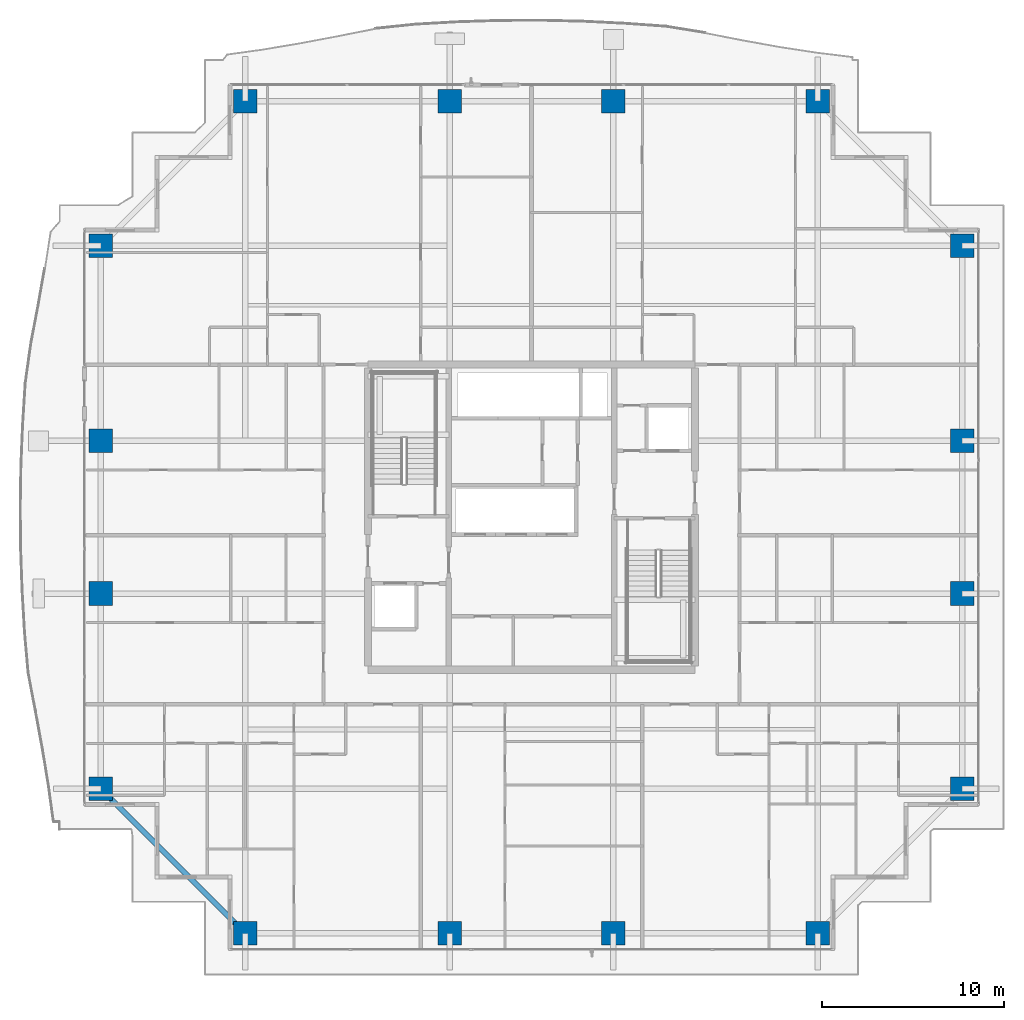
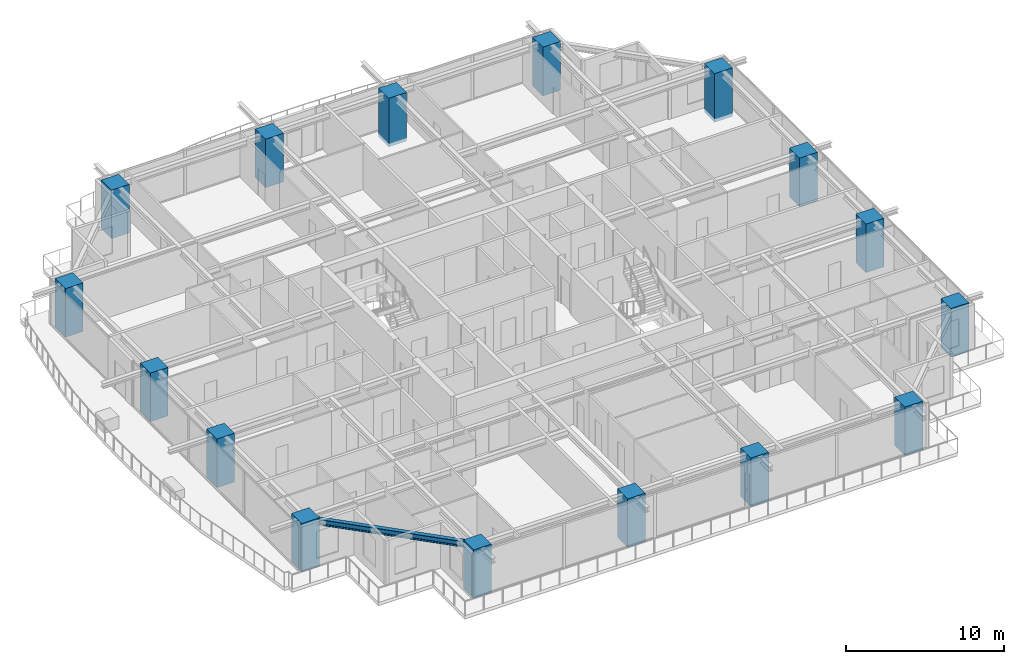
# One storey, part 1 of 39: 16 columns, 1 beam.
"""IFC4 building model written with IfcOpenShell, lengths in metres."""

from ifc_helpers import new_model, si_unit, direction, frame, origin, origin_2d, place, context, subcontext, project, spatial, rectangle, i_section, extrude, source, transform, mapped, material, material_profile, profile_set, type_object, element, save


model = new_model("IFC4")

# Units and contexts
model_context = context("Model", 3, precision=1e-05, world=origin(), true_north=direction((0.0, 1.0)))
body_context = subcontext(model_context, "Body", "Model", "MODEL_VIEW")
ifc_project = project(units=[si_unit("LENGTHUNIT", "METRE"), si_unit("AREAUNIT", "SQUARE_METRE"), si_unit("VOLUMEUNIT", "CUBIC_METRE"), si_unit("PLANEANGLEUNIT", "RADIAN"), si_unit("MASSUNIT", "GRAM", prefix="KILO")], contexts=[model_context])

# Site, building, storey
site_placement = place(None, origin())
site = spatial("IfcSite", under=ifc_project, at=site_placement, CompositionType="ELEMENT")
building_placement = place(site_placement, origin())
building = spatial("IfcBuilding", under=site, at=building_placement, Name="Serunith Strait Residences", CompositionType="ELEMENT")
storey_placement = place(building_placement, frame((0.0, 0.0, 123.89990234375)))
storey = spatial("IfcBuildingStorey", under=building, at=storey_placement, Name="L30", CompositionType="ELEMENT", Elevation=123.89990234375)

# Columns
ifc_material_1 = material(Name="Concrete C80/95", Category="concrete")
ifc_material_profile_1 = material_profile(ifc_material_1, rectangle(XDim=1.300048828125, YDim=1.300048828125, at=origin_2d()), Name="RC 1300x1300")
ifc_profile_set_1 = profile_set([ifc_material_profile_1], Name="Concrete C80/95")
column_type = type_object("IfcColumnType", Name="COL-RC-1300", PredefinedType="COLUMN", material=ifc_profile_set_1)
shared_shape_1 = source(origin(), body_context, "Body", "SweptSolid", [
    extrude(rectangle(XDim=1.300048828125, YDim=1.300048828125, at=origin_2d()), origin(), (0.0, 0.0, 1.0), 3.75),
])
for number, where, z_axis, x_axis, name in (
    (1, (16.64990234375, 2.300048828125, -0.260009765625), (0.0, 0.0, 1.0), (1.0, 0.0, 0.0), "L30 Tower Mega-Column TC-S1"),
    (2, (27.89990234375, 2.300048828125, -0.260009765625), (0.0, 0.0, 1.0), (1.0, 0.0, 0.0), "L30 Tower Mega-Column TC-S2"),
    (3, (36.89990234375, 2.300048828125, -0.260009765625), (0.0, 0.0, 1.0), (1.0, 0.0, 0.0), "L30 Tower Mega-Column TC-S3"),
    (4, (48.14990234375, 2.300048828125, -0.260009765625), (0.0, 0.0, 1.0), (1.0, 0.0, 0.0), "L30 Tower Mega-Column TC-S4"),
    (5, (16.64990234375, 48.10009765625, -0.260009765625), (0.0, 0.0, 1.0), (1.0, 0.0, 0.0), "L30 Tower Mega-Column TC-N1"),
    (6, (27.89990234375, 48.10009765625, -0.260009765625), (0.0, 0.0, 1.0), (1.0, 0.0, 0.0), "L30 Tower Mega-Column TC-N2"),
    (7, (36.89990234375, 48.10009765625, -0.260009765625), (0.0, 0.0, 1.0), (1.0, 0.0, 0.0), "L30 Tower Mega-Column TC-N3"),
    (8, (48.14990234375, 48.10009765625, -0.260009765625), (0.0, 0.0, 1.0), (1.0, 0.0, 0.0), "L30 Tower Mega-Column TC-N4"),
    (9, (56.10009765625, 10.25, -0.260009765625), (0.0, 0.0, 1.0), (1.0, 0.0, 0.0), "L30 Tower Mega-Column TC-E1"),
    (10, (56.10009765625, 21.0, -0.260009765625), (0.0, 0.0, 1.0), (1.0, 0.0, 0.0), "L30 Tower Mega-Column TC-E2"),
    (11, (56.10009765625, 29.39990234375, -0.260009765625), (0.0, 0.0, 1.0), (1.0, 0.0, 0.0), "L30 Tower Mega-Column TC-E3"),
    (12, (56.10009765625, 40.14990234375, -0.260009765625), (0.0, 0.0, 1.0), (1.0, 0.0, 0.0), "L30 Tower Mega-Column TC-E4"),
    (13, (8.699951171875, 10.25, -0.260009765625), (0.0, 0.0, 1.0), (1.0, 0.0, 0.0), "L30 Tower Mega-Column TC-W1"),
    (14, (8.699951171875, 21.0, -0.260009765625), (0.0, 0.0, 1.0), (1.0, 0.0, 0.0), "L30 Tower Mega-Column TC-W2"),
    (15, (8.699951171875, 29.39990234375, -0.260009765625), (0.0, 0.0, 1.0), (1.0, 0.0, 0.0), "L30 Tower Mega-Column TC-W3"),
    (16, (8.699951171875, 40.14990234375, -0.260009765625), (0.0, 0.0, 1.0), (1.0, 0.0, 0.0), "L30 Tower Mega-Column TC-W4"),
):
    element("IfcColumn", number, at=place(storey_placement, frame(where, z_axis=z_axis, x_axis=x_axis)), inside=storey, type_object=column_type, Name=name, PredefinedType="COLUMN", context=body_context, shape_type="MappedRepresentation", body=[
        mapped(shared_shape_1, transform((0.0, 0.0, 0.0), scale=1.0)),
    ])

# Beam
ifc_material_2 = material(Name="Steel S355J2", Category="steel")
ifc_material_profile_2 = material_profile(ifc_material_2, i_section(OverallWidth=0.300048828125, OverallDepth=0.449951171875, WebThickness=0.013916015625, FlangeThickness=0.02587890625, FilletRadius=0.027099609375, at=origin_2d()), Name="HEB 450")
ifc_profile_set_2 = profile_set([ifc_material_profile_2], Name="Steel S355J2")
beam_type = type_object("IfcBeamType", Name="BM-HEB450", PredefinedType="BEAM", material=ifc_profile_set_2)
shared_shape_2 = source(origin(), body_context, "Body", "SweptSolid", [
    extrude(i_section(OverallWidth=0.300048828125, OverallDepth=0.449951171875, WebThickness=0.013916015625, FlangeThickness=0.02587890625, FilletRadius=0.027099609375, at=origin_2d()), origin(), (0.0, 0.0, 1.0), 11.242919921875),
])
beam_placement = place(storey_placement, frame((8.699951171875, 10.25, 3.232177734375), z_axis=(0.707106781187, -0.707106781187, 0.0), x_axis=(0.707106781187, 0.707106781187, 0.0)))
element("IfcBeam", 17, at=beam_placement, inside=storey, type_object=beam_type, Name="L30 Perimeter Ring Beam 16", PredefinedType="BEAM", context=body_context, shape_type="MappedRepresentation", body=[
    mapped(shared_shape_2, transform((0.0, 0.0, 0.0), scale=1.0)),
])

save(model, "model.ifc")
